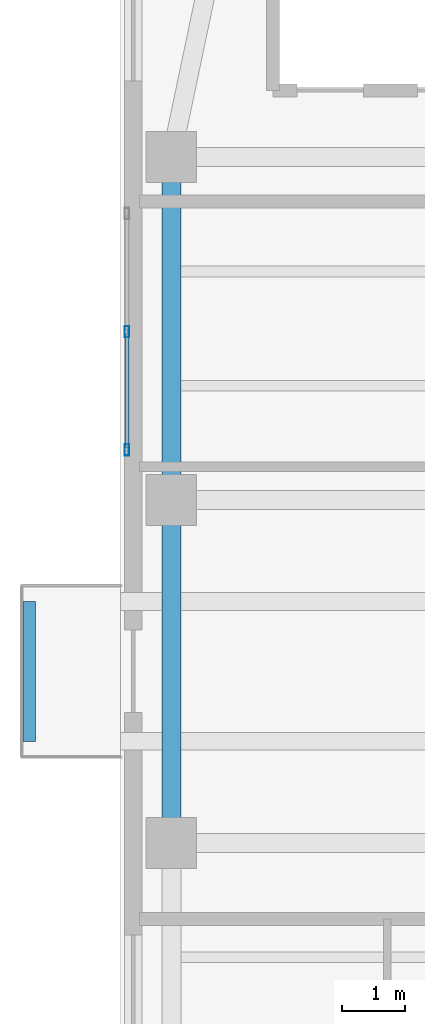
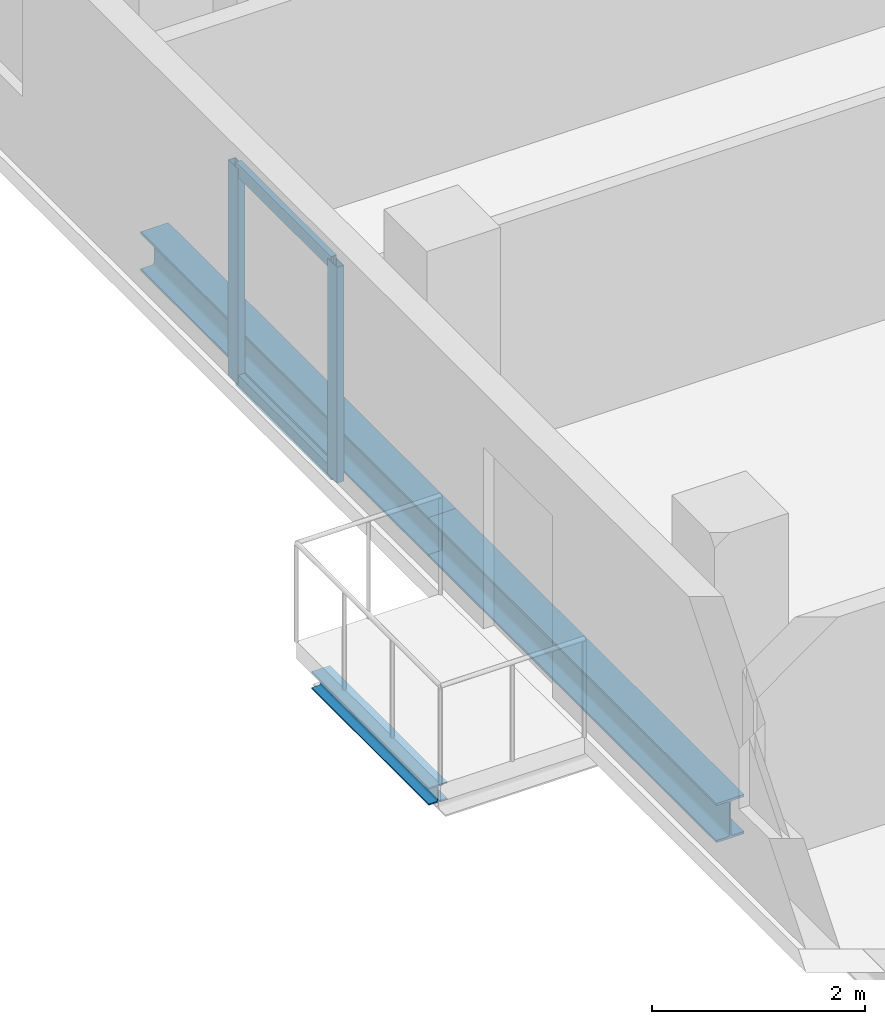
# One storey, part 3 of 9: 4 members, 3 beams, 1 element without a shape of its own.
"""IFC4 building model written with IfcOpenShell, lengths in metres."""

from ifc_helpers import new_model, si_unit, direction, frame, origin, origin_2d, place, context, subcontext, project, spatial, hollow_rectangle, i_section, extrude, material, material_profile, profile_set, type_object, element, aggregate, save


model = new_model("IFC4")

# Units and contexts
model_context = context("Model", 3, precision=1e-05, world=origin(), true_north=direction((0.0, 1.0)))
body_context = subcontext(model_context, "Body", "Model", "MODEL_VIEW")
ifc_project = project(units=[si_unit("LENGTHUNIT", "METRE"), si_unit("AREAUNIT", "SQUARE_METRE"), si_unit("VOLUMEUNIT", "CUBIC_METRE"), si_unit("PLANEANGLEUNIT", "RADIAN"), si_unit("MASSUNIT", "GRAM", prefix="KILO")], contexts=[model_context])

# Site, building, storey
site_placement = place(None, origin())
site = spatial("IfcSite", under=ifc_project, at=site_placement, CompositionType="ELEMENT")
building_placement = place(site_placement, origin())
building = spatial("IfcBuilding", under=site, at=building_placement, Name="Kuzgunbayir Cultural Tower", CompositionType="ELEMENT")
storey_placement = place(building_placement, frame((0.0, 0.0, 240.800048828125)))
storey = spatial("IfcBuildingStorey", under=building, at=storey_placement, Name="L71", CompositionType="ELEMENT", Elevation=240.800048828125)

# Beams
ifc_material_1 = material(Name="Steel S355J2", Category="steel")
ifc_material_profile_1 = material_profile(ifc_material_1, i_section(OverallWidth=0.199951171875, OverallDepth=0.199951171875, WebThickness=0.009033203125, FlangeThickness=0.014892578125, FilletRadius=0.01806640625, at=origin_2d()), Name="HEB 200")
ifc_profile_set_1 = profile_set([ifc_material_profile_1], Name="Steel S355J2")
beam_type_1 = type_object("IfcBeamType", Name="BM-CAN-HEB200", PredefinedType="BEAM", material=ifc_profile_set_1)
beam_1_placement = place(storey_placement, frame((3.159912109375, 19.60009765625, -0.300048828125), z_axis=(0.0, 1.0, 0.0), x_axis=(-1.0, 0.0, 0.0)))
element("IfcBeam", 1, at=beam_1_placement, inside=storey, type_object=beam_type_1, Name="L71 Balcony Edge Header BAL-L71-WA2", PredefinedType="BEAM", context=body_context, shape_type="SweptSolid", body=[
    extrude(i_section(OverallWidth=0.199951171875, OverallDepth=0.199951171875, WebThickness=0.009033203125, FlangeThickness=0.014892578125, FilletRadius=0.01806640625, at=origin_2d()), origin(), (0.0, 0.0, 1.0), 2.199951171875),
])
ifc_material_profile_2 = material_profile(ifc_material_1, i_section(OverallWidth=0.300048828125, OverallDepth=0.449951171875, WebThickness=0.013916015625, FlangeThickness=0.02587890625, FilletRadius=0.027099609375, at=origin_2d()), Name="HEB 450")
ifc_profile_set_2 = profile_set([ifc_material_profile_2], Name="Steel S355J2")
beam_type_2 = type_object("IfcBeamType", Name="BM-EXT-HEB450", PredefinedType="BEAM", material=ifc_profile_set_2)
beam_2_placement = place(storey_placement, frame((5.39990234375, 18.0, -0.400146484375), z_axis=(0.0, 1.0, 0.0), x_axis=(-1.0, 0.0, 0.0)))
element("IfcBeam", 2, at=beam_2_placement, inside=storey, type_object=beam_type_2, Name="L71 Wing A West Girder 2", PredefinedType="BEAM", context=body_context, shape_type="SweptSolid", body=[
    extrude(i_section(OverallWidth=0.300048828125, OverallDepth=0.449951171875, WebThickness=0.013916015625, FlangeThickness=0.02587890625, FilletRadius=0.027099609375, at=origin_2d()), origin(), (0.0, 0.0, 1.0), 5.39990234375),
])
beam_3_placement = place(storey_placement, frame((5.39990234375, 23.39990234375, -0.400146484375), z_axis=(0.0, 1.0, 0.0), x_axis=(-1.0, 0.0, 0.0)))
element("IfcBeam", 3, at=beam_3_placement, inside=storey, type_object=beam_type_2, Name="L71 Wing A West Girder 3", PredefinedType="BEAM", context=body_context, shape_type="SweptSolid", body=[
    extrude(i_section(OverallWidth=0.300048828125, OverallDepth=0.449951171875, WebThickness=0.013916015625, FlangeThickness=0.02587890625, FilletRadius=0.027099609375, at=origin_2d()), origin(), (0.0, 0.0, 1.0), 5.400146484375),
])

# Curtain wall, members
ifc_material_2 = material(Name="Anodised Aluminium Framing", Category="aluminium")
curtain_wall_type = type_object("IfcCurtainWallType", Name="CW06-OBSERVATORY", PredefinedType="NOTDEFINED", material=ifc_material_2)
curtain_wall_placement = place(storey_placement, origin())
curtain_wall = element("IfcCurtainWall", 4, at=curtain_wall_placement, inside=storey, type_object=curtain_wall_type, Name="L71 Crown Observatory West Curtain Wall", PredefinedType="NOTDEFINED")
ifc_material_profile_3 = material_profile(ifc_material_2, hollow_rectangle(XDim=0.074951171875, YDim=0.179931640625, WallThickness=0.0048828125, at=origin_2d()), Name="RHS 180x75x5")
ifc_profile_set_3 = profile_set([ifc_material_profile_3], Name="Anodised Aluminium Framing")
member_type_1 = type_object("IfcMemberType", Name="MEM-CW-MULLION-180", PredefinedType="MULLION", material=ifc_profile_set_3)
member_1_placement = place(storey_placement, frame((4.699951171875, 24.1875, 0.0), z_axis=(0.0, 0.0, 1.0), x_axis=(-1.0, 0.0, 0.0)))
member_1 = element("IfcMember", 5, at=member_1_placement, type_object=member_type_1, Name="CW06 mullion 1", PredefinedType="MULLION", context=body_context, shape_type="SweptSolid", body=[
    extrude(hollow_rectangle(XDim=0.074951171875, YDim=0.179931640625, WallThickness=0.0048828125, at=origin_2d()), origin(), (0.0, 0.0, 1.0), 2.469970703125),
])
member_2_placement = place(storey_placement, frame((4.699951171875, 26.050048828125, 0.0), z_axis=(0.0, 0.0, 1.0), x_axis=(-1.0, 0.0, 0.0)))
member_2 = element("IfcMember", 6, at=member_2_placement, type_object=member_type_1, Name="CW06 mullion 2", PredefinedType="MULLION", context=body_context, shape_type="SweptSolid", body=[
    extrude(hollow_rectangle(XDim=0.074951171875, YDim=0.179931640625, WallThickness=0.0048828125, at=origin_2d()), origin(), (0.0, 0.0, 1.0), 2.469970703125),
])
ifc_material_profile_4 = material_profile(ifc_material_2, hollow_rectangle(XDim=0.06005859375, YDim=0.14990234375, WallThickness=0.00390625, at=origin_2d()), Name="RHS 150x60x4")
ifc_profile_set_4 = profile_set([ifc_material_profile_4], Name="Anodised Aluminium Framing")
member_type_2 = type_object("IfcMemberType", Name="MEM-CW-TRANSOM-150", PredefinedType="USERDEFINED", material=ifc_profile_set_4)
member_3_placement = place(storey_placement, frame((4.699951171875, 24.22509765625, 0.030029296875), z_axis=(0.0, 1.0, 0.0), x_axis=(-1.0, 0.0, 0.0)))
member_3 = element("IfcMember", 7, at=member_3_placement, type_object=member_type_2, Name="CW06 transom 1.1", ObjectType="TRANSOM", PredefinedType="USERDEFINED", context=body_context, shape_type="SweptSolid", body=[
    extrude(hollow_rectangle(XDim=0.06005859375, YDim=0.14990234375, WallThickness=0.00390625, at=origin_2d()), origin(), (0.0, 0.0, 1.0), 1.787353515625),
])
member_4_placement = place(storey_placement, frame((4.699951171875, 24.22509765625, 2.43994140625), z_axis=(0.0, 1.0, 0.0), x_axis=(-1.0, 0.0, 0.0)))
member_4 = element("IfcMember", 8, at=member_4_placement, type_object=member_type_2, Name="CW06 transom 1.2", ObjectType="TRANSOM", PredefinedType="USERDEFINED", context=body_context, shape_type="SweptSolid", body=[
    extrude(hollow_rectangle(XDim=0.06005859375, YDim=0.14990234375, WallThickness=0.00390625, at=origin_2d()), origin(), (0.0, 0.0, 1.0), 1.787353515625),
])
aggregate(curtain_wall, [member_1, member_2, member_3, member_4])

save(model, "model.ifc")
